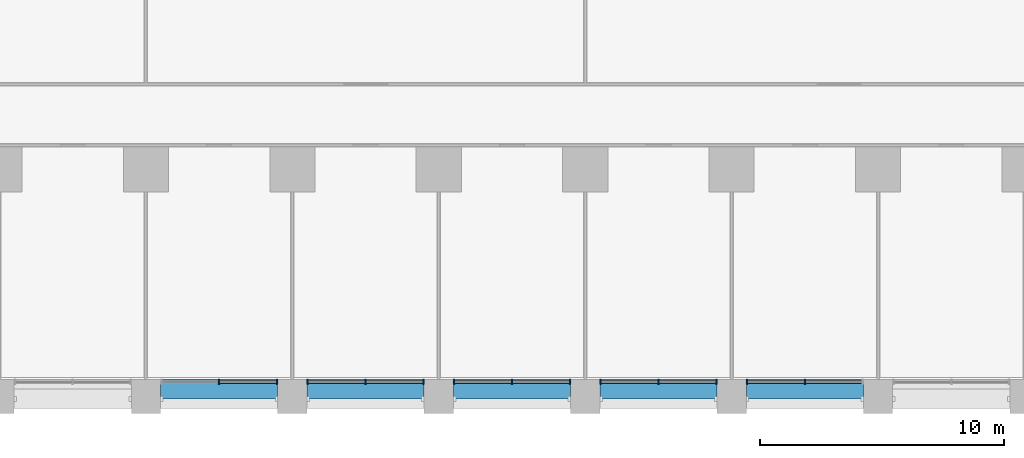
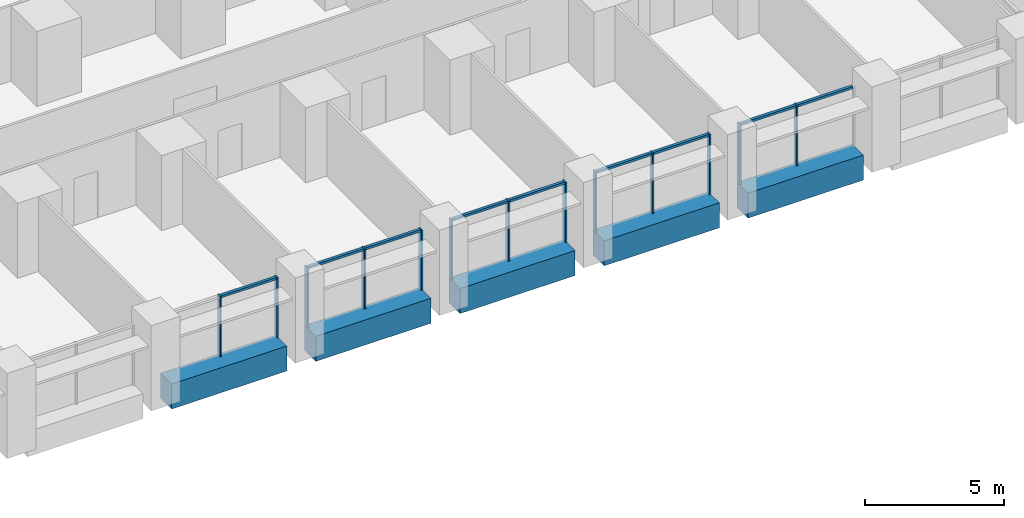
# One storey, part 3 of 18: 22 members, 5 beams, 5 elements without a shape of their own.
"""IFC4 building model written with IfcOpenShell, lengths in metres."""

from ifc_helpers import new_model, si_unit, direction, frame, origin, origin_2d, place, context, subcontext, project, spatial, rectangle, extrude, material, material_profile, profile_set, type_object, element, aggregate, save


model = new_model("IFC4")

# Units and contexts
model_context = context("Model", 3, precision=1e-05, world=origin(), true_north=direction((0.0, 1.0)))
body_context = subcontext(model_context, "Body", "Model", "MODEL_VIEW")
ifc_project = project(units=[si_unit("LENGTHUNIT", "METRE"), si_unit("AREAUNIT", "SQUARE_METRE"), si_unit("VOLUMEUNIT", "CUBIC_METRE"), si_unit("PLANEANGLEUNIT", "RADIAN"), si_unit("MASSUNIT", "GRAM", prefix="KILO")], contexts=[model_context])

# Site, building, storey
site_placement = place(None, origin())
site = spatial("IfcSite", under=ifc_project, at=site_placement, CompositionType="ELEMENT")
building_placement = place(site_placement, origin())
building = spatial("IfcBuilding", under=site, at=building_placement, Name="Calvaro Tower", CompositionType="ELEMENT")
storey_placement = place(building_placement, frame((0.0, 0.0, 26.25)))
storey = spatial("IfcBuildingStorey", under=building, at=storey_placement, Name="L05", CompositionType="ELEMENT", Elevation=26.25)

# Curtain wall, members
ifc_material_1 = material(Name="Anodised aluminium", Category="aluminium")
curtain_wall_type = type_object("IfcCurtainWallType", Name="Office curtain wall, lower zone", PredefinedType="NOTDEFINED", material=ifc_material_1)
curtain_wall_1_placement = place(storey_placement, origin())
curtain_wall_1 = element("IfcCurtainWall", 1, at=curtain_wall_1_placement, inside=storey, type_object=curtain_wall_type, Name="CW1 south curtain wall", PredefinedType="NOTDEFINED")
ifc_material_2 = material(Name="Anodised aluminium", Category="aluminium")
ifc_material_profile_1 = material_profile(ifc_material_2, rectangle(XDim=0.199951171875, YDim=0.06005859375, at=origin_2d()), Name="Mullion S1 60 x 200")
ifc_profile_set_1 = profile_set([ifc_material_profile_1], Name="Anodised aluminium")
member_type_1 = type_object("IfcMemberType", Name="Mullion S1 60 x 200", PredefinedType="MULLION", material=ifc_profile_set_1)
member_1_placement = place(storey_placement, frame((39.0, 1.300048828125, 0.0), z_axis=(0.0, 0.0, 1.0), x_axis=(0.0, 1.0, 0.0)))
member_1 = element("IfcMember", 2, at=member_1_placement, type_object=member_type_1, Name="CW1 mullion 2", PredefinedType="MULLION", context=body_context, shape_type="SweptSolid", body=[
    extrude(rectangle(XDim=0.199951171875, YDim=0.06005859375, at=origin_2d()), origin(), (0.0, 0.0, 1.0), 2.64990234375),
])
member_2_placement = place(storey_placement, frame((41.3701171875, 1.300048828125, 0.0), z_axis=(0.0, 0.0, 1.0), x_axis=(0.0, 1.0, 0.0)))
member_2 = element("IfcMember", 3, at=member_2_placement, type_object=member_type_1, Name="CW1 mullion 3", PredefinedType="MULLION", context=body_context, shape_type="SweptSolid", body=[
    extrude(rectangle(XDim=0.199951171875, YDim=0.06005859375, at=origin_2d()), origin(), (0.0, 0.0, 1.0), 2.64990234375),
])

curtain_wall_2_placement = place(storey_placement, origin())
curtain_wall_2 = element("IfcCurtainWall", 4, at=curtain_wall_2_placement, inside=storey, type_object=curtain_wall_type, Name="CW1 south curtain wall", PredefinedType="NOTDEFINED")
member_3_placement = place(storey_placement, frame((42.6298828125, 1.300048828125, 0.0), z_axis=(0.0, 0.0, 1.0), x_axis=(0.0, 1.0, 0.0)))
member_3 = element("IfcMember", 5, at=member_3_placement, type_object=member_type_1, Name="CW1 mullion 1", PredefinedType="MULLION", context=body_context, shape_type="SweptSolid", body=[
    extrude(rectangle(XDim=0.199951171875, YDim=0.06005859375, at=origin_2d()), origin(), (0.0, 0.0, 1.0), 2.64990234375),
])
member_4_placement = place(storey_placement, frame((45.0, 1.300048828125, 0.0), z_axis=(0.0, 0.0, 1.0), x_axis=(0.0, 1.0, 0.0)))
member_4 = element("IfcMember", 6, at=member_4_placement, type_object=member_type_1, Name="CW1 mullion 2", PredefinedType="MULLION", context=body_context, shape_type="SweptSolid", body=[
    extrude(rectangle(XDim=0.199951171875, YDim=0.06005859375, at=origin_2d()), origin(), (0.0, 0.0, 1.0), 2.64990234375),
])
member_5_placement = place(storey_placement, frame((47.3701171875, 1.300048828125, 0.0), z_axis=(0.0, 0.0, 1.0), x_axis=(0.0, 1.0, 0.0)))
member_5 = element("IfcMember", 7, at=member_5_placement, type_object=member_type_1, Name="CW1 mullion 3", PredefinedType="MULLION", context=body_context, shape_type="SweptSolid", body=[
    extrude(rectangle(XDim=0.199951171875, YDim=0.06005859375, at=origin_2d()), origin(), (0.0, 0.0, 1.0), 2.64990234375),
])

curtain_wall_3_placement = place(storey_placement, origin())
curtain_wall_3 = element("IfcCurtainWall", 8, at=curtain_wall_3_placement, inside=storey, type_object=curtain_wall_type, Name="CW1 south curtain wall", PredefinedType="NOTDEFINED")
member_6_placement = place(storey_placement, frame((48.6298828125, 1.300048828125, 0.0), z_axis=(0.0, 0.0, 1.0), x_axis=(0.0, 1.0, 0.0)))
member_6 = element("IfcMember", 9, at=member_6_placement, type_object=member_type_1, Name="CW1 mullion 1", PredefinedType="MULLION", context=body_context, shape_type="SweptSolid", body=[
    extrude(rectangle(XDim=0.199951171875, YDim=0.06005859375, at=origin_2d()), origin(), (0.0, 0.0, 1.0), 2.64990234375),
])
member_7_placement = place(storey_placement, frame((51.0, 1.300048828125, 0.0), z_axis=(0.0, 0.0, 1.0), x_axis=(0.0, 1.0, 0.0)))
member_7 = element("IfcMember", 10, at=member_7_placement, type_object=member_type_1, Name="CW1 mullion 2", PredefinedType="MULLION", context=body_context, shape_type="SweptSolid", body=[
    extrude(rectangle(XDim=0.199951171875, YDim=0.06005859375, at=origin_2d()), origin(), (0.0, 0.0, 1.0), 2.64990234375),
])
member_8_placement = place(storey_placement, frame((53.3701171875, 1.300048828125, 0.0), z_axis=(0.0, 0.0, 1.0), x_axis=(0.0, 1.0, 0.0)))
member_8 = element("IfcMember", 11, at=member_8_placement, type_object=member_type_1, Name="CW1 mullion 3", PredefinedType="MULLION", context=body_context, shape_type="SweptSolid", body=[
    extrude(rectangle(XDim=0.199951171875, YDim=0.06005859375, at=origin_2d()), origin(), (0.0, 0.0, 1.0), 2.64990234375),
])

curtain_wall_4_placement = place(storey_placement, origin())
curtain_wall_4 = element("IfcCurtainWall", 12, at=curtain_wall_4_placement, inside=storey, type_object=curtain_wall_type, Name="CW1 south curtain wall", PredefinedType="NOTDEFINED")
member_9_placement = place(storey_placement, frame((54.6298828125, 1.300048828125, 0.0), z_axis=(0.0, 0.0, 1.0), x_axis=(0.0, 1.0, 0.0)))
member_9 = element("IfcMember", 13, at=member_9_placement, type_object=member_type_1, Name="CW1 mullion 1", PredefinedType="MULLION", context=body_context, shape_type="SweptSolid", body=[
    extrude(rectangle(XDim=0.199951171875, YDim=0.06005859375, at=origin_2d()), origin(), (0.0, 0.0, 1.0), 2.64990234375),
])
member_10_placement = place(storey_placement, frame((57.0, 1.300048828125, 0.0), z_axis=(0.0, 0.0, 1.0), x_axis=(0.0, 1.0, 0.0)))
member_10 = element("IfcMember", 14, at=member_10_placement, type_object=member_type_1, Name="CW1 mullion 2", PredefinedType="MULLION", context=body_context, shape_type="SweptSolid", body=[
    extrude(rectangle(XDim=0.199951171875, YDim=0.06005859375, at=origin_2d()), origin(), (0.0, 0.0, 1.0), 2.64990234375),
])
member_11_placement = place(storey_placement, frame((59.3701171875, 1.300048828125, 0.0), z_axis=(0.0, 0.0, 1.0), x_axis=(0.0, 1.0, 0.0)))
member_11 = element("IfcMember", 15, at=member_11_placement, type_object=member_type_1, Name="CW1 mullion 3", PredefinedType="MULLION", context=body_context, shape_type="SweptSolid", body=[
    extrude(rectangle(XDim=0.199951171875, YDim=0.06005859375, at=origin_2d()), origin(), (0.0, 0.0, 1.0), 2.64990234375),
])

curtain_wall_5_placement = place(storey_placement, origin())
curtain_wall_5 = element("IfcCurtainWall", 16, at=curtain_wall_5_placement, inside=storey, type_object=curtain_wall_type, Name="CW1 south curtain wall", PredefinedType="NOTDEFINED")
member_12_placement = place(storey_placement, frame((60.6298828125, 1.300048828125, 0.0), z_axis=(0.0, 0.0, 1.0), x_axis=(0.0, 1.0, 0.0)))
member_12 = element("IfcMember", 17, at=member_12_placement, type_object=member_type_1, Name="CW1 mullion 1", PredefinedType="MULLION", context=body_context, shape_type="SweptSolid", body=[
    extrude(rectangle(XDim=0.199951171875, YDim=0.06005859375, at=origin_2d()), origin(), (0.0, 0.0, 1.0), 2.64990234375),
])
member_13_placement = place(storey_placement, frame((63.0, 1.300048828125, 0.0), z_axis=(0.0, 0.0, 1.0), x_axis=(0.0, 1.0, 0.0)))
member_13 = element("IfcMember", 18, at=member_13_placement, type_object=member_type_1, Name="CW1 mullion 2", PredefinedType="MULLION", context=body_context, shape_type="SweptSolid", body=[
    extrude(rectangle(XDim=0.199951171875, YDim=0.06005859375, at=origin_2d()), origin(), (0.0, 0.0, 1.0), 2.64990234375),
])

# Beams
ifc_material_3 = material(Name="Concrete C50/60 precast", Category="concrete")
ifc_material_profile_2 = material_profile(ifc_material_3, rectangle(XDim=0.800048828125, YDim=1.10009765625, at=origin_2d()), Name="RC 800x1100")
ifc_profile_set_2 = profile_set([ifc_material_profile_2], Name="Concrete C50/60 precast")
beam_type = type_object("IfcBeamType", Name="Spandrel beam 800x1100 C50/60", PredefinedType="SPANDREL", material=ifc_profile_set_2)
for number, where, z_axis, x_axis, name in (
    (19, (36.60009765625, 1.0, -0.550048828125), (1.0, 0.0, 0.0), (0.0, 1.0, 0.0), "Spandrel beam"),
    (20, (42.60009765625, 1.0, -0.550048828125), (1.0, 0.0, 0.0), (0.0, 1.0, 0.0), "Spandrel beam"),
    (21, (48.60009765625, 1.0, -0.550048828125), (1.0, 0.0, 0.0), (0.0, 1.0, 0.0), "Spandrel beam"),
    (22, (54.60009765625, 1.0, -0.550048828125), (1.0, 0.0, 0.0), (0.0, 1.0, 0.0), "Spandrel beam"),
    (23, (60.60009765625, 1.0, -0.550048828125), (1.0, 0.0, 0.0), (0.0, 1.0, 0.0), "Spandrel beam"),
):
    element("IfcBeam", number, at=place(storey_placement, frame(where, z_axis=z_axis, x_axis=x_axis)), inside=storey, type_object=beam_type, Name=name, PredefinedType="SPANDREL", context=body_context, shape_type="SweptSolid", body=[
        extrude(rectangle(XDim=0.800048828125, YDim=1.10009765625, at=origin_2d()), origin(), (0.0, 0.0, 1.0), 4.7998046875),
    ])

# Member
ifc_material_4 = material(Name="Anodised aluminium", Category="aluminium")
ifc_material_profile_3 = material_profile(ifc_material_4, rectangle(XDim=0.1201171875, YDim=0.10009765625, at=origin_2d()), Name="Transom S1 100 x 120")
ifc_profile_set_3 = profile_set([ifc_material_profile_3], Name="Anodised aluminium")
member_type_2 = type_object("IfcMemberType", Name="Transom S1 100 x 120", PredefinedType="USERDEFINED", material=ifc_profile_set_3)
member_14_placement = place(storey_placement, frame((39.030029296875, 1.300048828125, 2.60009765625), z_axis=(1.0, 0.0, 0.0), x_axis=(0.0, 1.0, 0.0)))
member_14 = element("IfcMember", 24, at=member_14_placement, type_object=member_type_2, Name="CW1 transom 2.1", ObjectType="TRANSOM", PredefinedType="USERDEFINED", context=body_context, shape_type="SweptSolid", body=[
    extrude(rectangle(XDim=0.1201171875, YDim=0.10009765625, at=origin_2d()), origin(), (0.0, 0.0, 1.0), 2.31005859375),
])

aggregate(curtain_wall_1, [member_1, member_2, member_14])

member_15_placement = place(storey_placement, frame((42.659912109375, 1.300048828125, 2.60009765625), z_axis=(1.0, 0.0, 0.0), x_axis=(0.0, 1.0, 0.0)))
member_15 = element("IfcMember", 25, at=member_15_placement, type_object=member_type_2, Name="CW1 transom 1.1", ObjectType="TRANSOM", PredefinedType="USERDEFINED", context=body_context, shape_type="SweptSolid", body=[
    extrude(rectangle(XDim=0.1201171875, YDim=0.10009765625, at=origin_2d()), origin(), (0.0, 0.0, 1.0), 2.31005859375),
])

member_16_placement = place(storey_placement, frame((45.030029296875, 1.300048828125, 2.60009765625), z_axis=(1.0, 0.0, 0.0), x_axis=(0.0, 1.0, 0.0)))
member_16 = element("IfcMember", 26, at=member_16_placement, type_object=member_type_2, Name="CW1 transom 2.1", ObjectType="TRANSOM", PredefinedType="USERDEFINED", context=body_context, shape_type="SweptSolid", body=[
    extrude(rectangle(XDim=0.1201171875, YDim=0.10009765625, at=origin_2d()), origin(), (0.0, 0.0, 1.0), 2.31005859375),
])

aggregate(curtain_wall_2, [member_3, member_4, member_5, member_15, member_16])

member_17_placement = place(storey_placement, frame((48.659912109375, 1.300048828125, 2.60009765625), z_axis=(1.0, 0.0, 0.0), x_axis=(0.0, 1.0, 0.0)))
member_17 = element("IfcMember", 27, at=member_17_placement, type_object=member_type_2, Name="CW1 transom 1.1", ObjectType="TRANSOM", PredefinedType="USERDEFINED", context=body_context, shape_type="SweptSolid", body=[
    extrude(rectangle(XDim=0.1201171875, YDim=0.10009765625, at=origin_2d()), origin(), (0.0, 0.0, 1.0), 2.31005859375),
])

member_18_placement = place(storey_placement, frame((51.030029296875, 1.300048828125, 2.60009765625), z_axis=(1.0, 0.0, 0.0), x_axis=(0.0, 1.0, 0.0)))
member_18 = element("IfcMember", 28, at=member_18_placement, type_object=member_type_2, Name="CW1 transom 2.1", ObjectType="TRANSOM", PredefinedType="USERDEFINED", context=body_context, shape_type="SweptSolid", body=[
    extrude(rectangle(XDim=0.1201171875, YDim=0.10009765625, at=origin_2d()), origin(), (0.0, 0.0, 1.0), 2.31005859375),
])

aggregate(curtain_wall_3, [member_6, member_7, member_8, member_17, member_18])

member_19_placement = place(storey_placement, frame((54.659912109375, 1.300048828125, 2.60009765625), z_axis=(1.0, 0.0, 0.0), x_axis=(0.0, 1.0, 0.0)))
member_19 = element("IfcMember", 29, at=member_19_placement, type_object=member_type_2, Name="CW1 transom 1.1", ObjectType="TRANSOM", PredefinedType="USERDEFINED", context=body_context, shape_type="SweptSolid", body=[
    extrude(rectangle(XDim=0.1201171875, YDim=0.10009765625, at=origin_2d()), origin(), (0.0, 0.0, 1.0), 2.31005859375),
])

member_20_placement = place(storey_placement, frame((57.030029296875, 1.300048828125, 2.60009765625), z_axis=(1.0, 0.0, 0.0), x_axis=(0.0, 1.0, 0.0)))
member_20 = element("IfcMember", 30, at=member_20_placement, type_object=member_type_2, Name="CW1 transom 2.1", ObjectType="TRANSOM", PredefinedType="USERDEFINED", context=body_context, shape_type="SweptSolid", body=[
    extrude(rectangle(XDim=0.1201171875, YDim=0.10009765625, at=origin_2d()), origin(), (0.0, 0.0, 1.0), 2.31005859375),
])

aggregate(curtain_wall_4, [member_9, member_10, member_11, member_19, member_20])

member_21_placement = place(storey_placement, frame((60.659912109375, 1.300048828125, 2.60009765625), z_axis=(1.0, 0.0, 0.0), x_axis=(0.0, 1.0, 0.0)))
member_21 = element("IfcMember", 31, at=member_21_placement, type_object=member_type_2, Name="CW1 transom 1.1", ObjectType="TRANSOM", PredefinedType="USERDEFINED", context=body_context, shape_type="SweptSolid", body=[
    extrude(rectangle(XDim=0.1201171875, YDim=0.10009765625, at=origin_2d()), origin(), (0.0, 0.0, 1.0), 2.31005859375),
])

member_22_placement = place(storey_placement, frame((63.030029296875, 1.300048828125, 2.60009765625), z_axis=(1.0, 0.0, 0.0), x_axis=(0.0, 1.0, 0.0)))
member_22 = element("IfcMember", 32, at=member_22_placement, type_object=member_type_2, Name="CW1 transom 2.1", ObjectType="TRANSOM", PredefinedType="USERDEFINED", context=body_context, shape_type="SweptSolid", body=[
    extrude(rectangle(XDim=0.1201171875, YDim=0.10009765625, at=origin_2d()), origin(), (0.0, 0.0, 1.0), 2.31005859375),
])

aggregate(curtain_wall_5, [member_12, member_13, member_21, member_22])

save(model, "model.ifc")
